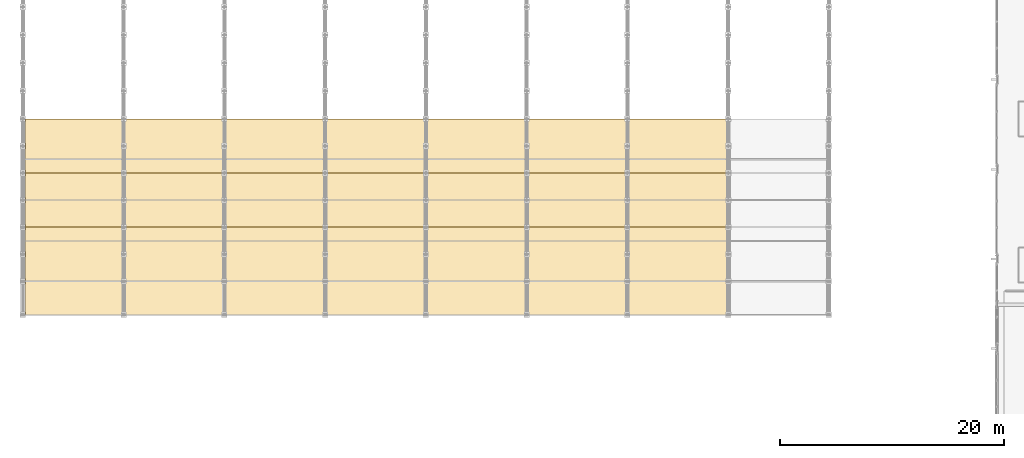
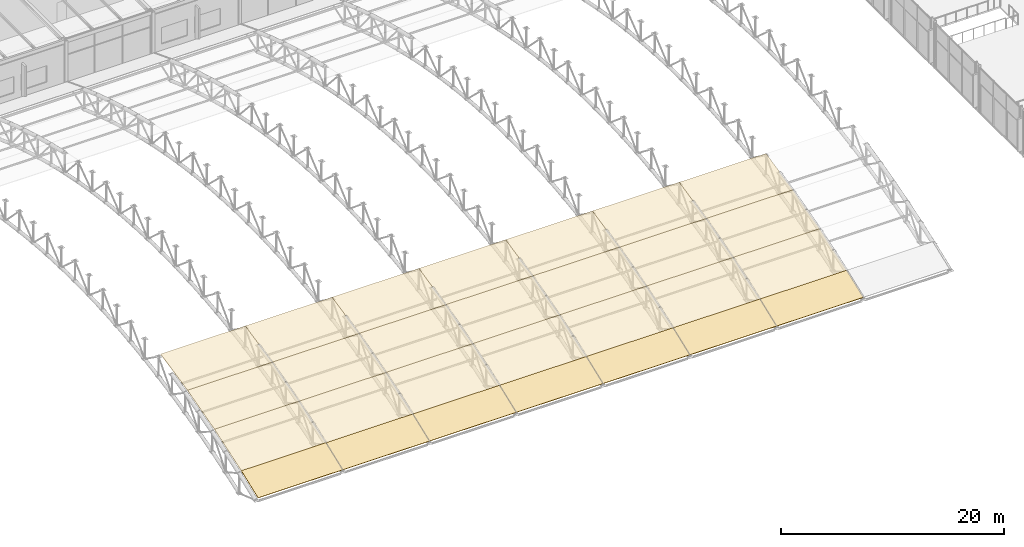
# One storey, part 170 of 195: 28 coverings.
"""IFC4 building model written with IfcOpenShell, lengths in metres."""

from ifc_helpers import new_model, si_unit, direction, frame, origin, place, context, subcontext, project, spatial, polyline, outline, extrude, material, layer, layer_set, type_object, element, save


model = new_model("IFC4")

# Units and contexts
model_context = context("Model", 3, precision=1e-05, world=origin(), true_north=direction((0.0, 1.0)))
body_context = subcontext(model_context, "Body", "Model", "MODEL_VIEW")
ifc_project = project(units=[si_unit("LENGTHUNIT", "METRE"), si_unit("AREAUNIT", "SQUARE_METRE"), si_unit("VOLUMEUNIT", "CUBIC_METRE"), si_unit("PLANEANGLEUNIT", "RADIAN"), si_unit("MASSUNIT", "GRAM", prefix="KILO")], contexts=[model_context])

# Site, building, storey
site_placement = place(None, origin())
site = spatial("IfcSite", under=ifc_project, at=site_placement, CompositionType="ELEMENT")
building_placement = place(site_placement, origin())
building = spatial("IfcBuilding", under=site, at=building_placement, Name="Marlcrest Central Station", CompositionType="ELEMENT")
storey_placement = place(building_placement, frame((0.0, 0.0, 9.800048828125)))
storey = spatial("IfcBuildingStorey", under=building, at=storey_placement, Name="L02", CompositionType="ELEMENT", Elevation=9.800048828125)

# Coverings
ifc_material = material(Name="Standing-seam marine-coated aluminium roofing", Category="aluminium")
ifc_layer = layer(ifc_material, 0.06494140625, Name="CV-RF2")
ifc_layer_set = layer_set([ifc_layer], Name="Standing-seam marine-coated aluminium roofing")
covering_type = type_object("IfcCoveringType", Name="CV-RF2", PredefinedType="ROOFING", material=ifc_layer_set)
covering_1_placement = place(storey_placement, frame((0.219970703125, 33.5, 0.645751953125), z_axis=(0.0, -0.359101225901, 0.933298617569), x_axis=(1.0, 0.0, 0.0)))
element("IfcCovering", 1, at=covering_1_placement, inside=storey, type_object=covering_type, Name="cov-shed-0005", PredefinedType="ROOFING", context=body_context, shape_type="SweptSolid", body=[
    extrude(outline(polyline([(0.0, 0.0), (8.780029296875, 0.0), (8.780029296875, 3.2144052755735024), (0.0, 3.2144052755735024), (0.0, 0.0)])), origin(), (0.0, 0.0, -1.0), 0.06494140625),
])
covering_2_placement = place(storey_placement, frame((0.219970703125, 36.5, 1.800048828125), z_axis=(0.0, -0.318569719273, 0.94789943241), x_axis=(1.0, 0.0, 0.0)))
element("IfcCovering", 2, at=covering_2_placement, inside=storey, type_object=covering_type, Name="cov-shed-0006", PredefinedType="ROOFING", context=body_context, shape_type="SweptSolid", body=[
    extrude(outline(polyline([(0.0, 0.0), (8.780029296875, 0.0), (8.780029296875, 5.095559676327259), (0.0, 5.095559676327259), (0.0, 0.0)])), origin(), (0.0, 0.0, -1.0), 0.06494140625),
])
covering_3_placement = place(storey_placement, frame((0.219970703125, 41.330078125, 3.42333984375), z_axis=(0.0, -0.266214119485, 0.96391391866), x_axis=(1.0, 0.0, 0.0)))
element("IfcCovering", 3, at=covering_3_placement, inside=storey, type_object=covering_type, Name="cov-shed-0007", PredefinedType="ROOFING", context=body_context, shape_type="SweptSolid", body=[
    extrude(outline(polyline([(0.0, 0.0), (8.780029296875, 0.0), (8.780029296875, 5.021033161059523), (0.0, 5.021033161059523), (0.0, 0.0)])), origin(), (0.0, 0.0, -1.0), 0.06494140625),
])
covering_4_placement = place(storey_placement, frame((0.219970703125, 46.169921875, 4.760009765625), z_axis=(0.0, -0.211209052667, 0.977440911806), x_axis=(1.0, 0.0, 0.0)))
element("IfcCovering", 4, at=covering_4_placement, inside=storey, type_object=covering_type, Name="cov-shed-0008", PredefinedType="ROOFING", context=body_context, shape_type="SweptSolid", body=[
    extrude(outline(polyline([(0.0, 0.0), (8.780029296875, 0.0), (8.780029296875, 4.941555102371799), (0.0, 4.941555102371799), (0.0, 0.0)])), origin(), (0.0, 0.0, -1.0), 0.06494140625),
])
covering_5_placement = place(storey_placement, frame((9.0, 33.5, 0.645751953125), z_axis=(0.0, -0.359101225901, 0.933298617569), x_axis=(1.0, 0.0, 0.0)))
element("IfcCovering", 5, at=covering_5_placement, inside=storey, type_object=covering_type, Name="cov-shed-0019", PredefinedType="ROOFING", context=body_context, shape_type="SweptSolid", body=[
    extrude(outline(polyline([(0.0, 0.0), (9.0, 0.0), (9.0, 3.2144052755735024), (0.0, 3.2144052755735024), (0.0, 0.0)])), origin(), (0.0, 0.0, -1.0), 0.06494140625),
])
covering_6_placement = place(storey_placement, frame((9.0, 36.5, 1.800048828125), z_axis=(0.0, -0.318569719273, 0.94789943241), x_axis=(1.0, 0.0, 0.0)))
element("IfcCovering", 6, at=covering_6_placement, inside=storey, type_object=covering_type, Name="cov-shed-0020", PredefinedType="ROOFING", context=body_context, shape_type="SweptSolid", body=[
    extrude(outline(polyline([(0.0, 0.0), (9.0, 0.0), (9.0, 5.095559676327259), (0.0, 5.095559676327259), (0.0, 0.0)])), origin(), (0.0, 0.0, -1.0), 0.06494140625),
])
covering_7_placement = place(storey_placement, frame((9.0, 41.330078125, 3.42333984375), z_axis=(0.0, -0.266214119485, 0.96391391866), x_axis=(1.0, 0.0, 0.0)))
element("IfcCovering", 7, at=covering_7_placement, inside=storey, type_object=covering_type, Name="cov-shed-0021", PredefinedType="ROOFING", context=body_context, shape_type="SweptSolid", body=[
    extrude(outline(polyline([(0.0, 0.0), (9.0, 0.0), (9.0, 5.021033161059522), (0.0, 5.021033161059522), (0.0, 0.0)])), origin(), (0.0, 0.0, -1.0), 0.06494140625),
])
covering_8_placement = place(storey_placement, frame((9.0, 46.169921875, 4.760009765625), z_axis=(0.0, -0.211209052667, 0.977440911806), x_axis=(1.0, 0.0, 0.0)))
element("IfcCovering", 8, at=covering_8_placement, inside=storey, type_object=covering_type, Name="cov-shed-0022", PredefinedType="ROOFING", context=body_context, shape_type="SweptSolid", body=[
    extrude(outline(polyline([(0.0, 0.0), (9.0, 0.0), (9.0, 4.941555102371799), (0.0, 4.941555102371799), (0.0, 0.0)])), origin(), (0.0, 0.0, -1.0), 0.06494140625),
])
covering_9_placement = place(storey_placement, frame((18.0, 33.5, 0.645751953125), z_axis=(0.0, -0.359101225901, 0.933298617569), x_axis=(1.0, 0.0, 0.0)))
element("IfcCovering", 9, at=covering_9_placement, inside=storey, type_object=covering_type, Name="cov-shed-0033", PredefinedType="ROOFING", context=body_context, shape_type="SweptSolid", body=[
    extrude(outline(polyline([(0.0, 0.0), (9.0, 0.0), (9.0, 3.2144052755735024), (0.0, 3.2144052755735024), (0.0, 0.0)])), origin(), (0.0, 0.0, -1.0), 0.06494140625),
])
covering_10_placement = place(storey_placement, frame((18.0, 36.5, 1.800048828125), z_axis=(0.0, -0.318569719273, 0.94789943241), x_axis=(1.0, 0.0, 0.0)))
element("IfcCovering", 10, at=covering_10_placement, inside=storey, type_object=covering_type, Name="cov-shed-0034", PredefinedType="ROOFING", context=body_context, shape_type="SweptSolid", body=[
    extrude(outline(polyline([(0.0, 0.0), (9.0, 0.0), (9.0, 5.095559676327259), (0.0, 5.095559676327259), (0.0, 0.0)])), origin(), (0.0, 0.0, -1.0), 0.06494140625),
])
covering_11_placement = place(storey_placement, frame((18.0, 41.330078125, 3.42333984375), z_axis=(0.0, -0.266214119485, 0.96391391866), x_axis=(1.0, 0.0, 0.0)))
element("IfcCovering", 11, at=covering_11_placement, inside=storey, type_object=covering_type, Name="cov-shed-0035", PredefinedType="ROOFING", context=body_context, shape_type="SweptSolid", body=[
    extrude(outline(polyline([(0.0, 0.0), (9.0, 0.0), (9.0, 5.021033161059522), (0.0, 5.021033161059522), (0.0, 0.0)])), origin(), (0.0, 0.0, -1.0), 0.06494140625),
])
covering_12_placement = place(storey_placement, frame((18.0, 46.169921875, 4.760009765625), z_axis=(0.0, -0.211209052667, 0.977440911806), x_axis=(1.0, 0.0, 0.0)))
element("IfcCovering", 12, at=covering_12_placement, inside=storey, type_object=covering_type, Name="cov-shed-0036", PredefinedType="ROOFING", context=body_context, shape_type="SweptSolid", body=[
    extrude(outline(polyline([(0.0, 0.0), (9.0, 0.0), (9.0, 4.941555102371799), (0.0, 4.941555102371799), (0.0, 0.0)])), origin(), (0.0, 0.0, -1.0), 0.06494140625),
])
covering_13_placement = place(storey_placement, frame((27.0, 33.5, 0.645751953125), z_axis=(0.0, -0.359101225901, 0.933298617569), x_axis=(1.0, 0.0, 0.0)))
element("IfcCovering", 13, at=covering_13_placement, inside=storey, type_object=covering_type, Name="cov-shed-0047", PredefinedType="ROOFING", context=body_context, shape_type="SweptSolid", body=[
    extrude(outline(polyline([(0.0, 0.0), (9.0, 0.0), (9.0, 3.2144052755735024), (0.0, 3.2144052755735024), (0.0, 0.0)])), origin(), (0.0, 0.0, -1.0), 0.06494140625),
])
covering_14_placement = place(storey_placement, frame((27.0, 36.5, 1.800048828125), z_axis=(0.0, -0.318569719273, 0.94789943241), x_axis=(1.0, 0.0, 0.0)))
element("IfcCovering", 14, at=covering_14_placement, inside=storey, type_object=covering_type, Name="cov-shed-0048", PredefinedType="ROOFING", context=body_context, shape_type="SweptSolid", body=[
    extrude(outline(polyline([(0.0, 0.0), (9.0, 0.0), (9.0, 5.095559676327259), (0.0, 5.095559676327259), (0.0, 0.0)])), origin(), (0.0, 0.0, -1.0), 0.06494140625),
])
covering_15_placement = place(storey_placement, frame((27.0, 41.330078125, 3.42333984375), z_axis=(0.0, -0.266214119485, 0.96391391866), x_axis=(1.0, 0.0, 0.0)))
element("IfcCovering", 15, at=covering_15_placement, inside=storey, type_object=covering_type, Name="cov-shed-0049", PredefinedType="ROOFING", context=body_context, shape_type="SweptSolid", body=[
    extrude(outline(polyline([(0.0, 0.0), (9.0, 0.0), (9.0, 5.021033161059522), (0.0, 5.021033161059522), (0.0, 0.0)])), origin(), (0.0, 0.0, -1.0), 0.06494140625),
])
covering_16_placement = place(storey_placement, frame((27.0, 46.169921875, 4.760009765625), z_axis=(0.0, -0.211209052667, 0.977440911806), x_axis=(1.0, 0.0, 0.0)))
element("IfcCovering", 16, at=covering_16_placement, inside=storey, type_object=covering_type, Name="cov-shed-0050", PredefinedType="ROOFING", context=body_context, shape_type="SweptSolid", body=[
    extrude(outline(polyline([(0.0, 0.0), (9.0, 0.0), (9.0, 4.941555102371799), (0.0, 4.941555102371799), (0.0, 0.0)])), origin(), (0.0, 0.0, -1.0), 0.06494140625),
])
covering_17_placement = place(storey_placement, frame((36.0, 33.5, 0.645751953125), z_axis=(0.0, -0.359101225901, 0.933298617569), x_axis=(1.0, 0.0, 0.0)))
element("IfcCovering", 17, at=covering_17_placement, inside=storey, type_object=covering_type, Name="cov-shed-0061", PredefinedType="ROOFING", context=body_context, shape_type="SweptSolid", body=[
    extrude(outline(polyline([(0.0, 0.0), (9.0, 0.0), (9.0, 3.2144052755735024), (0.0, 3.2144052755735024), (0.0, 0.0)])), origin(), (0.0, 0.0, -1.0), 0.06494140625),
])
covering_18_placement = place(storey_placement, frame((36.0, 36.5, 1.800048828125), z_axis=(0.0, -0.318569719273, 0.94789943241), x_axis=(1.0, 0.0, 0.0)))
element("IfcCovering", 18, at=covering_18_placement, inside=storey, type_object=covering_type, Name="cov-shed-0062", PredefinedType="ROOFING", context=body_context, shape_type="SweptSolid", body=[
    extrude(outline(polyline([(0.0, 0.0), (9.0, 0.0), (9.0, 5.095559676327259), (0.0, 5.095559676327259), (0.0, 0.0)])), origin(), (0.0, 0.0, -1.0), 0.06494140625),
])
covering_19_placement = place(storey_placement, frame((36.0, 41.330078125, 3.42333984375), z_axis=(0.0, -0.266214119485, 0.96391391866), x_axis=(1.0, 0.0, 0.0)))
element("IfcCovering", 19, at=covering_19_placement, inside=storey, type_object=covering_type, Name="cov-shed-0063", PredefinedType="ROOFING", context=body_context, shape_type="SweptSolid", body=[
    extrude(outline(polyline([(0.0, 0.0), (9.0, 0.0), (9.0, 5.021033161059522), (0.0, 5.021033161059522), (0.0, 0.0)])), origin(), (0.0, 0.0, -1.0), 0.06494140625),
])
covering_20_placement = place(storey_placement, frame((36.0, 46.169921875, 4.760009765625), z_axis=(0.0, -0.211209052667, 0.977440911806), x_axis=(1.0, 0.0, 0.0)))
element("IfcCovering", 20, at=covering_20_placement, inside=storey, type_object=covering_type, Name="cov-shed-0064", PredefinedType="ROOFING", context=body_context, shape_type="SweptSolid", body=[
    extrude(outline(polyline([(0.0, 0.0), (9.0, 0.0), (9.0, 4.941555102371799), (0.0, 4.941555102371799), (0.0, 0.0)])), origin(), (0.0, 0.0, -1.0), 0.06494140625),
])
covering_21_placement = place(storey_placement, frame((45.0, 33.5, 0.645751953125), z_axis=(0.0, -0.359101225901, 0.933298617569), x_axis=(1.0, 0.0, 0.0)))
element("IfcCovering", 21, at=covering_21_placement, inside=storey, type_object=covering_type, Name="cov-shed-0075", PredefinedType="ROOFING", context=body_context, shape_type="SweptSolid", body=[
    extrude(outline(polyline([(0.0, 0.0), (9.0, 0.0), (9.0, 3.2144052755735024), (0.0, 3.2144052755735024), (0.0, 0.0)])), origin(), (0.0, 0.0, -1.0), 0.06494140625),
])
covering_22_placement = place(storey_placement, frame((45.0, 36.5, 1.800048828125), z_axis=(0.0, -0.318569719273, 0.94789943241), x_axis=(1.0, 0.0, 0.0)))
element("IfcCovering", 22, at=covering_22_placement, inside=storey, type_object=covering_type, Name="cov-shed-0076", PredefinedType="ROOFING", context=body_context, shape_type="SweptSolid", body=[
    extrude(outline(polyline([(0.0, 0.0), (9.0, 0.0), (9.0, 5.095559676327259), (0.0, 5.095559676327259), (0.0, 0.0)])), origin(), (0.0, 0.0, -1.0), 0.06494140625),
])
covering_23_placement = place(storey_placement, frame((45.0, 41.330078125, 3.42333984375), z_axis=(0.0, -0.266214119485, 0.96391391866), x_axis=(1.0, 0.0, 0.0)))
element("IfcCovering", 23, at=covering_23_placement, inside=storey, type_object=covering_type, Name="cov-shed-0077", PredefinedType="ROOFING", context=body_context, shape_type="SweptSolid", body=[
    extrude(outline(polyline([(0.0, 0.0), (9.0, 0.0), (9.0, 5.021033161059522), (0.0, 5.021033161059522), (0.0, 0.0)])), origin(), (0.0, 0.0, -1.0), 0.06494140625),
])
covering_24_placement = place(storey_placement, frame((45.0, 46.169921875, 4.760009765625), z_axis=(0.0, -0.211209052667, 0.977440911806), x_axis=(1.0, 0.0, 0.0)))
element("IfcCovering", 24, at=covering_24_placement, inside=storey, type_object=covering_type, Name="cov-shed-0078", PredefinedType="ROOFING", context=body_context, shape_type="SweptSolid", body=[
    extrude(outline(polyline([(0.0, 0.0), (9.0, 0.0), (9.0, 4.941555102371799), (0.0, 4.941555102371799), (0.0, 0.0)])), origin(), (0.0, 0.0, -1.0), 0.06494140625),
])
covering_25_placement = place(storey_placement, frame((54.0, 33.5, 0.645751953125), z_axis=(0.0, -0.359101225901, 0.933298617569), x_axis=(1.0, 0.0, 0.0)))
element("IfcCovering", 25, at=covering_25_placement, inside=storey, type_object=covering_type, Name="cov-shed-0089", PredefinedType="ROOFING", context=body_context, shape_type="SweptSolid", body=[
    extrude(outline(polyline([(0.0, 0.0), (9.0, 0.0), (9.0, 3.2144052755735024), (0.0, 3.2144052755735024), (0.0, 0.0)])), origin(), (0.0, 0.0, -1.0), 0.06494140625),
])
covering_26_placement = place(storey_placement, frame((54.0, 36.5, 1.800048828125), z_axis=(0.0, -0.318569719273, 0.94789943241), x_axis=(1.0, 0.0, 0.0)))
element("IfcCovering", 26, at=covering_26_placement, inside=storey, type_object=covering_type, Name="cov-shed-0090", PredefinedType="ROOFING", context=body_context, shape_type="SweptSolid", body=[
    extrude(outline(polyline([(0.0, 0.0), (9.0, 0.0), (9.0, 5.095559676327259), (0.0, 5.095559676327259), (0.0, 0.0)])), origin(), (0.0, 0.0, -1.0), 0.06494140625),
])
covering_27_placement = place(storey_placement, frame((54.0, 41.330078125, 3.42333984375), z_axis=(0.0, -0.266214119485, 0.96391391866), x_axis=(1.0, 0.0, 0.0)))
element("IfcCovering", 27, at=covering_27_placement, inside=storey, type_object=covering_type, Name="cov-shed-0091", PredefinedType="ROOFING", context=body_context, shape_type="SweptSolid", body=[
    extrude(outline(polyline([(0.0, 0.0), (9.0, 0.0), (9.0, 5.021033161059522), (0.0, 5.021033161059522), (0.0, 0.0)])), origin(), (0.0, 0.0, -1.0), 0.06494140625),
])
covering_28_placement = place(storey_placement, frame((54.0, 46.169921875, 4.760009765625), z_axis=(0.0, -0.211209052667, 0.977440911806), x_axis=(1.0, 0.0, 0.0)))
element("IfcCovering", 28, at=covering_28_placement, inside=storey, type_object=covering_type, Name="cov-shed-0092", PredefinedType="ROOFING", context=body_context, shape_type="SweptSolid", body=[
    extrude(outline(polyline([(0.0, 0.0), (9.0, 0.0), (9.0, 4.941555102371799), (0.0, 4.941555102371799), (0.0, 0.0)])), origin(), (0.0, 0.0, -1.0), 0.06494140625),
])

save(model, "model.ifc")
